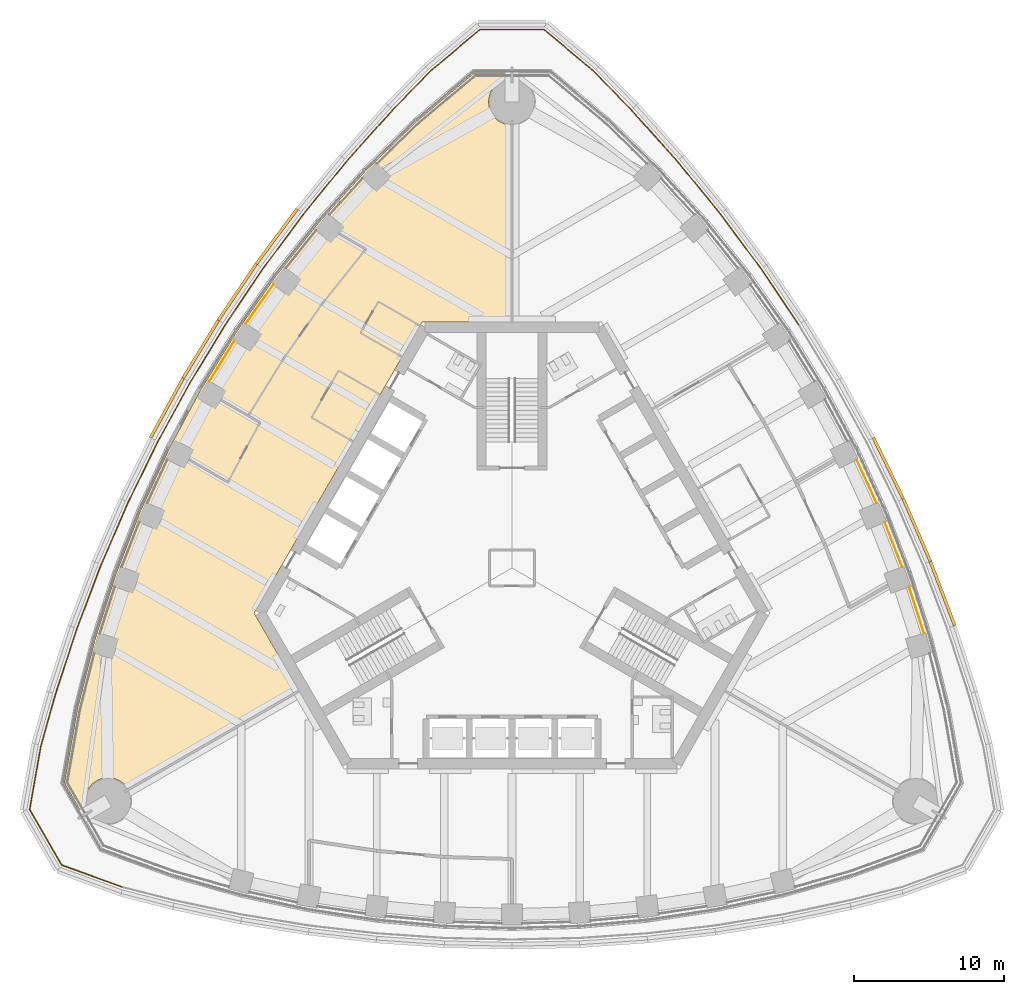
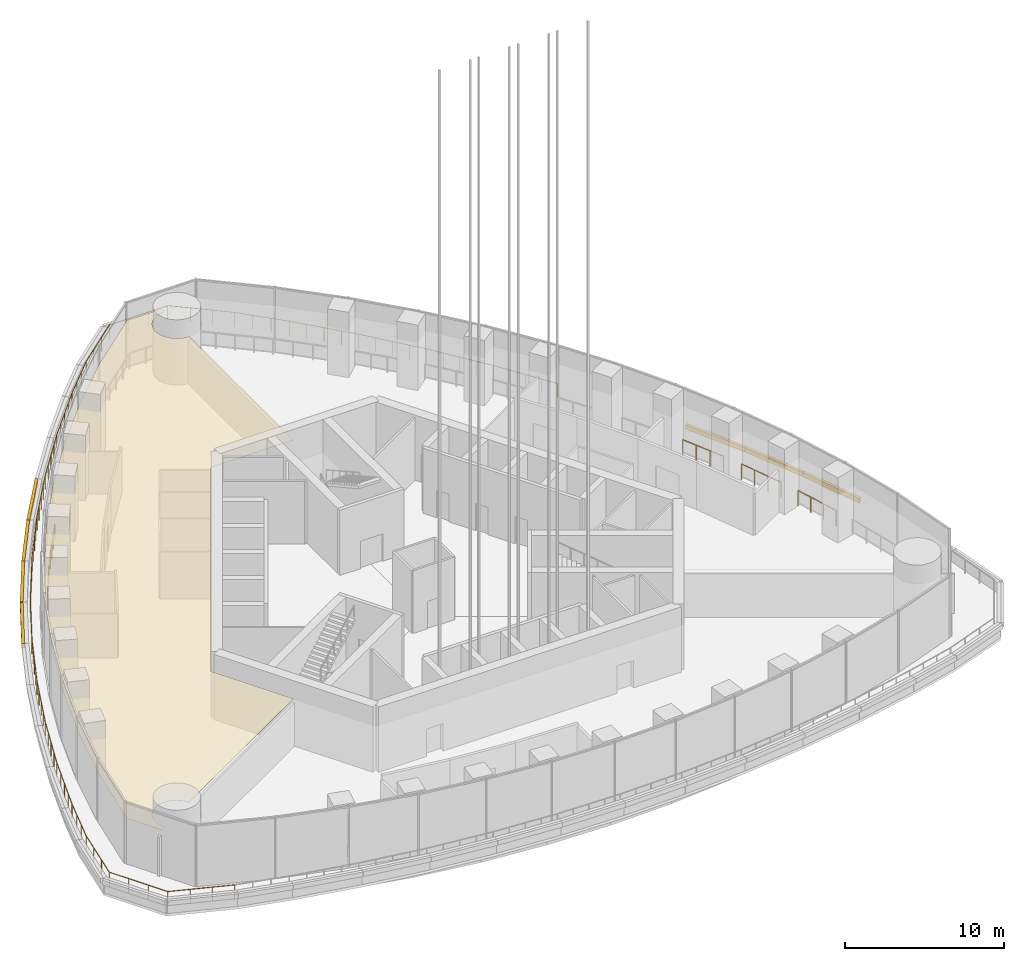
# One storey, part 15 of 26: 8 coverings, 6 railings.
"""IFC4 building model written with IfcOpenShell, lengths in metres."""

import ifcopenshell
import ifcopenshell.guid

model = None  # the IFC model being written
_history = None  # IfcOwnerHistory: only IFC2X3 demands one
_inside = {}  # id of a spatial element -> (the spatial element, [elements in it])
_under = {}  # id of a project, library or spatial element -> (it, [spatial elements below it])
_declared = {}  # id of a project -> (the project, [libraries it declares])
_typed = {}  # id of a type object -> (the type object, [elements of that type])
_made_of = {}  # id of a material, layer set ... -> (it, [elements and type objects made of it])


def new_model(schema):
    """Start an empty IFC model of exactly this schema.

    Asked for "IFC4X3", IfcOpenShell would pick the latest addendum, in which some entities
    have other attributes; the version numbers below select the first issue.
    IFC2X3 requires an IfcOwnerHistory on every rooted entity: one is made here for all.
    """
    global model, _history
    if schema == "IFC4X3":
        model = ifcopenshell.file(schema_version=(4, 3, 0, 0))
    else:
        model = ifcopenshell.file(schema=schema)
    _inside.clear()
    _under.clear()
    _declared.clear()
    _typed.clear()
    _made_of.clear()
    _history = None
    if model.schema == "IFC2X3":
        org = make("IfcOrganization", Name="unknown")
        user = make(
            "IfcPersonAndOrganization",
            ThePerson=make("IfcPerson", FamilyName="unknown"),
            TheOrganization=org,
        )
        app = make(
            "IfcApplication",
            ApplicationDeveloper=org,
            Version="unknown",
            ApplicationFullName="unknown",
            ApplicationIdentifier="unknown",
        )
        _history = make(
            "IfcOwnerHistory",
            OwningUser=user,
            OwningApplication=app,
            ChangeAction="ADDED",
            CreationDate=0,
        )
    return model


def make(cls, **values):
    """One entity of the class cls with the attributes given. An attribute that is None is left unset."""
    return model.create_entity(
        cls, **{name: value for name, value in values.items() if value is not None}
    )


def rooted(cls, **values):
    """An entity with a GlobalId (a new one), such as an element, a storey or a relation."""
    return make(cls, GlobalId=ifcopenshell.guid.new(), OwnerHistory=_history, **values)


def si_unit(unit_type, name, prefix=None):
    """IfcSIUnit, for example si_unit("LENGTHUNIT", "METRE", prefix="MILLI")."""
    return make("IfcSIUnit", UnitType=unit_type, Prefix=prefix, Name=name)


def assignment(units):
    """IfcUnitAssignment: the units of a project."""
    return None if units is None else make("IfcUnitAssignment", Units=units)


def point(xyz):
    """IfcCartesianPoint."""
    return None if xyz is None else make("IfcCartesianPoint", Coordinates=xyz)


def direction(xyz):
    """IfcDirection."""
    return None if xyz is None else make("IfcDirection", DirectionRatios=xyz)


def frame(location, z_axis=None, x_axis=None):
    """IfcAxis2Placement3D, a coordinate frame: its origin and axes. An axis left out is left unset."""
    return make(
        "IfcAxis2Placement3D",
        Location=point(location),
        Axis=direction(z_axis),
        RefDirection=direction(x_axis),
    )


def frame_2d(location, x_axis=None):
    """IfcAxis2Placement2D, a coordinate frame in the plane: its origin and x axis."""
    return make(
        "IfcAxis2Placement2D", Location=point(location), RefDirection=direction(x_axis)
    )


def origin():
    """The frame at (0, 0, 0) with its axes left unset."""
    return frame((0.0, 0.0, 0.0))


def origin_2d():
    """The frame at (0, 0) in the plane with its x axis left unset."""
    return frame_2d((0.0, 0.0))


def place(relative_to, where):
    """IfcLocalPlacement: puts the frame where relative to a parent placement (None: the world)."""
    return make(
        "IfcLocalPlacement", PlacementRelTo=relative_to, RelativePlacement=where
    )


def context(
    kind, dimensions, precision=None, world=None, true_north=None, identifier=None
):
    """IfcGeometricRepresentationContext, for example the 3D "Model" context."""
    return make(
        "IfcGeometricRepresentationContext",
        ContextIdentifier=identifier,
        ContextType=kind,
        CoordinateSpaceDimension=dimensions,
        Precision=precision,
        WorldCoordinateSystem=world,
        TrueNorth=true_north,
    )


def subcontext(parent, identifier, kind, view, scale=None):
    """IfcGeometricRepresentationSubContext, for example "Body" below "Model"."""
    return make(
        "IfcGeometricRepresentationSubContext",
        ContextIdentifier=identifier,
        ContextType=kind,
        ParentContext=parent,
        TargetScale=scale,
        TargetView=view,
    )


def project(units=None, contexts=None):
    """IfcProject with its units and contexts."""
    return rooted(
        "IfcProject",
        Name="project",
        RepresentationContexts=contexts,
        UnitsInContext=assignment(units),
    )


def spatial(cls, under=None, at=None, **own):
    """A site, building, storey or space (cls), placed at a placement, below another one or the project."""
    s = rooted(cls, ObjectPlacement=at, **own)
    if under is not None:
        _under.setdefault(under.id(), (under, []))[1].append(s)
    return s


def polyline(points):
    """IfcPolyline through the points."""
    return make("IfcPolyline", Points=[point(p) for p in points])


def profile(cls, at=None, kind="AREA", **sizes):
    """A parametric profile (cls). Its sizes go by their IFC names, for example OverallWidth=200.0."""
    return make(cls, ProfileType=kind, Position=at, **sizes)


def rectangle(**sizes):
    """IfcRectangleProfileDef."""
    return profile("IfcRectangleProfileDef", **sizes)


def circle(**sizes):
    """IfcCircleProfileDef."""
    return profile("IfcCircleProfileDef", **sizes)


def outline(outer, holes=None, kind="AREA"):
    """IfcArbitraryClosedProfileDef: a profile drawn as a closed curve; with holes, ...WithVoids."""
    if holes is None:
        return make("IfcArbitraryClosedProfileDef", ProfileType=kind, OuterCurve=outer)
    return make(
        "IfcArbitraryProfileDefWithVoids",
        ProfileType=kind,
        OuterCurve=outer,
        InnerCurves=holes,
    )


def extrude(swept, where, along, depth):
    """IfcExtrudedAreaSolid: the profile swept, set in the frame where, extruded along a direction by depth."""
    return make(
        "IfcExtrudedAreaSolid",
        SweptArea=swept,
        Position=where,
        ExtrudedDirection=direction(along),
        Depth=depth,
    )


def shape(context_of_items, identifier, shape_type, items):
    """IfcShapeRepresentation: the items that make up one representation, for example the "Body"."""
    return make(
        "IfcShapeRepresentation",
        ContextOfItems=context_of_items,
        RepresentationIdentifier=identifier,
        RepresentationType=shape_type,
        Items=items,
    )


def material(Name=None, Category=None):
    """IfcMaterial."""
    return make("IfcMaterial", Name=Name, Category=Category)


def layer(
    of_material, thickness, ventilated=None, Name=None, Category=None, Priority=None
):
    """IfcMaterialLayer: one layer of a wall or slab, of a material (None: an air gap)."""
    return make(
        "IfcMaterialLayer",
        Material=of_material,
        LayerThickness=thickness,
        IsVentilated=ventilated,
        Name=Name,
        Category=Category,
        Priority=Priority,
    )


def layer_set(layers, Name=None):
    """IfcMaterialLayerSet."""
    return make("IfcMaterialLayerSet", MaterialLayers=layers, LayerSetName=Name)


def made_of(thing, what):
    """Note that an element or type object is made of a material, layer set ...; save() writes the relation."""
    if what is not None:
        _made_of.setdefault(what.id(), (what, []))[1].append(thing)
    return thing


def type_object(cls, material=None, **own):
    """A type object (cls), such as IfcWallType, which elements share."""
    return made_of(rooted(cls, **own), material)


def element(
    cls,
    number,
    at=None,
    inside=None,
    cuts=None,
    type_object=None,
    material=None,
    context=None,
    identifier="Body",
    shape_type=None,
    held_by="IfcProductDefinitionShape",
    body=None,
    shapes=None,
    **own,
):
    """One element of the class cls, such as IfcWall. Its Tag is "e" and its number.

    at: its placement. inside: the storey or other place that contains it. cuts: it is an
    opening in that element (IfcRelVoidsElement). A single representation is given by context,
    identifier, shape_type and body (its items); several are given by shapes. held_by: the class
    of the entity that holds the representations. save() writes the other relations.
    """
    e = rooted(cls, Tag="e%d" % number, ObjectPlacement=at, **own)
    if body is not None:
        shapes = [shape(context, identifier, shape_type, body)]
    if shapes is not None:
        e.Representation = make(held_by, Representations=shapes)
    if inside is not None:
        _inside.setdefault(inside.id(), (inside, []))[1].append(e)
    if cuts is not None:
        rooted(
            "IfcRelVoidsElement", RelatingBuildingElement=cuts, RelatedOpeningElement=e
        )
    if type_object is not None:
        _typed.setdefault(type_object.id(), (type_object, []))[1].append(e)
    return made_of(e, material)


def aggregate(whole, parts):
    """IfcRelAggregates: a whole, such as a stair, and the parts it consists of."""
    return rooted("IfcRelAggregates", RelatingObject=whole, RelatedObjects=parts)


def save(model, path):
    """Write the relations noted so far, then the file.

    IfcRelAggregates (storeys below a building ...), IfcRelContainedInSpatialStructure (elements
    in a storey), IfcRelDefinesByType, IfcRelAssociatesMaterial and IfcRelDeclares: one each for
    every whole, place, type object, material and project.
    """
    for whole, parts in _under.values():
        aggregate(whole, parts)
    for where, things in _inside.values():
        rooted(
            "IfcRelContainedInSpatialStructure",
            RelatedElements=things,
            RelatingStructure=where,
        )
    for kind, things in _typed.values():
        rooted("IfcRelDefinesByType", RelatedObjects=things, RelatingType=kind)
    for what, things in _made_of.values():
        rooted("IfcRelAssociatesMaterial", RelatedObjects=things, RelatingMaterial=what)
    for by, libraries in _declared.values():
        rooted("IfcRelDeclares", RelatingContext=by, RelatedDefinitions=libraries)
    model.write(path)


model = new_model("IFC4")

# Units and contexts
model_context = context("Model", 3, precision=1e-05, world=origin(), true_north=direction((0.0, 1.0)))
body_context = subcontext(model_context, "Body", "Model", "MODEL_VIEW")
ifc_project = project(units=[si_unit("LENGTHUNIT", "METRE"), si_unit("AREAUNIT", "SQUARE_METRE"), si_unit("VOLUMEUNIT", "CUBIC_METRE"), si_unit("PLANEANGLEUNIT", "RADIAN"), si_unit("MASSUNIT", "GRAM", prefix="KILO")], contexts=[model_context])

# Site, building, storey
site_placement = place(None, origin())
site = spatial("IfcSite", under=ifc_project, at=site_placement, CompositionType="ELEMENT")
building_placement = place(site_placement, origin())
building = spatial("IfcBuilding", under=site, at=building_placement, Name="Trefoil Bronze Tower", CompositionType="ELEMENT")
storey_placement = place(building_placement, frame((0.0, 0.0, 271.300048828125)))
storey = spatial("IfcBuildingStorey", under=building, at=storey_placement, Name="L62", CompositionType="ELEMENT", Elevation=271.300048828125)

# Covering
ifc_material_1 = material(Name="Bronze metal ceiling panels", Category="metal")
ifc_layer = layer(ifc_material_1, 0.02001953125)
ifc_layer_set = layer_set([ifc_layer], Name="Feature ceiling 20")
covering_type_1 = type_object("IfcCoveringType", Name="Feature ceiling 20", PredefinedType="CEILING", material=ifc_layer_set)
covering_1_placement = place(storey_placement, frame((0.0, 0.0, 3.599853515625)))
element("IfcCovering", 1, at=covering_1_placement, inside=storey, type_object=covering_type_1, Name="Ceiling L62 Bar lounge F3", PredefinedType="CEILING", context=body_context, shape_type="SweptSolid", body=[
    extrude(outline(polyline([(-27.741455078125, -4.76806640625), (-26.336181640625, -0.38330078125), (-24.682861328125, 3.8583984375), (-22.7880859375, 7.960693359375), (-20.656005859375, 11.92578125), (-18.2880859375, 15.7548828125), (-15.682861328125, 19.44677734375), (-12.836181640625, 22.99951171875), (-9.741455078125, 26.408935546875), (-6.350830078125, 29.703125), (-2.508056640625, 32.927490234375), (-0.01220703125, 32.927490234375), (-0.01220703125, 32.5498046875), (-0.076171875, 32.548095703125), (-0.15185546875, 32.54248046875), (-0.227294921875, 32.533203125), (-0.302490234375, 32.520263671875), (-0.376708984375, 32.50341796875), (-0.449951171875, 32.4833984375), (-0.522216796875, 32.45947265625), (-0.59326171875, 32.431884765625), (-0.66259765625, 32.401123046875), (-0.730712890625, 32.366943359375), (-0.796875, 32.32958984375), (-0.861083984375, 32.288818359375), (-0.92333984375, 32.2451171875), (-0.9833984375, 32.1982421875), (-1.041015625, 32.1484375), (-1.095947265625, 32.095947265625), (-1.1484375, 32.041015625), (-1.1982421875, 31.9833984375), (-1.2451171875, 31.92333984375), (-1.288818359375, 31.861083984375), (-1.32958984375, 31.796875), (-1.366943359375, 31.730712890625), (-1.401123046875, 31.66259765625), (-1.431884765625, 31.59326171875), (-1.45947265625, 31.522216796875), (-1.4833984375, 31.449951171875), (-1.50341796875, 31.376708984375), (-1.520263671875, 31.302490234375), (-1.533203125, 31.227294921875), (-1.54248046875, 31.15185546875), (-1.548095703125, 31.076171875), (-1.550048828125, 31.0), (-1.548095703125, 30.923828125), (-1.54248046875, 30.84814453125), (-1.533203125, 30.772705078125), (-1.520263671875, 30.697509765625), (-1.50341796875, 30.623291015625), (-1.4833984375, 30.550048828125), (-1.45947265625, 30.477783203125), (-1.431884765625, 30.40673828125), (-1.401123046875, 30.33740234375), (-1.366943359375, 30.269287109375), (-1.32958984375, 30.203125), (-1.288818359375, 30.138916015625), (-1.2451171875, 30.07666015625), (-1.1982421875, 30.0166015625), (-1.1484375, 29.958984375), (-1.095947265625, 29.904052734375), (-1.041015625, 29.8515625), (-0.9833984375, 29.8017578125), (-0.92333984375, 29.7548828125), (-0.861083984375, 29.711181640625), (-0.796875, 29.67041015625), (-0.730712890625, 29.633056640625), (-0.66259765625, 29.598876953125), (-0.59326171875, 29.568115234375), (-0.522216796875, 29.54052734375), (-0.449951171875, 29.5166015625), (-0.376708984375, 29.49658203125), (-0.302490234375, 29.479736328125), (-0.227294921875, 29.466796875), (-0.15185546875, 29.45751953125), (-0.076171875, 29.451904296875), (-0.010986328125, 29.4501953125), (-0.006103515625, 16.35009765625), (-5.9755859375, 16.35009765625), (-17.147216796875, -3.0), (-14.16259765625, -8.169677734375), (-25.51025390625, -14.715576171875), (-25.55810546875, -14.638916015625), (-25.601806640625, -14.57666015625), (-25.648681640625, -14.5166015625), (-25.6982421875, -14.458984375), (-25.750732421875, -14.404052734375), (-25.805908203125, -14.3515625), (-25.863525390625, -14.3017578125), (-25.923583984375, -14.2548828125), (-25.985595703125, -14.211181640625), (-26.0498046875, -14.17041015625), (-26.1162109375, -14.133056640625), (-26.18408203125, -14.098876953125), (-26.253662109375, -14.068115234375), (-26.32470703125, -14.04052734375), (-26.396728515625, -14.0166015625), (-26.47021484375, -13.99658203125), (-26.54443359375, -13.979736328125), (-26.619384765625, -13.966796875), (-26.69482421875, -13.95751953125), (-26.770751953125, -13.951904296875), (-26.8466796875, -13.949951171875), (-26.9228515625, -13.951904296875), (-26.998779296875, -13.95751953125), (-27.07421875, -13.966796875), (-27.149169921875, -13.979736328125), (-27.223388671875, -13.99658203125), (-27.296630859375, -14.0166015625), (-27.368896484375, -14.04052734375), (-27.43994140625, -14.068115234375), (-27.509521484375, -14.098876953125), (-27.577392578125, -14.133056640625), (-27.6435546875, -14.17041015625), (-27.7080078125, -14.211181640625), (-27.77001953125, -14.2548828125), (-27.830078125, -14.3017578125), (-27.8876953125, -14.3515625), (-27.94287109375, -14.404052734375), (-27.995361328125, -14.458984375), (-28.044921875, -14.5166015625), (-28.091796875, -14.57666015625), (-28.135498046875, -14.638916015625), (-28.17626953125, -14.703125), (-28.2138671875, -14.769287109375), (-28.248046875, -14.83740234375), (-28.27880859375, -14.90673828125), (-28.30615234375, -14.977783203125), (-28.330078125, -15.050048828125), (-28.350341796875, -15.123291015625), (-28.366943359375, -15.197509765625), (-28.3798828125, -15.272705078125), (-28.389404296875, -15.34814453125), (-28.39501953125, -15.423828125), (-28.396728515625, -15.5), (-28.39501953125, -15.576171875), (-28.389404296875, -15.65185546875), (-28.3798828125, -15.727294921875), (-28.366943359375, -15.802490234375), (-28.350341796875, -15.876708984375), (-28.330078125, -15.949951171875), (-28.30615234375, -16.022216796875), (-28.27880859375, -16.09326171875), (-28.248046875, -16.16259765625), (-28.2138671875, -16.230712890625), (-28.19482421875, -16.26416015625), (-28.522216796875, -16.453125), (-29.770263671875, -14.291748046875), (-28.899169921875, -9.3515625), (-27.741455078125, -4.76806640625)])), origin(), (0.0, 0.0, 1.0), 0.02001953125),
])

# Railings
ifc_material_2 = material(Name="Bronze-finish steel guard rail and posts", Category="steel")
railing_type_1 = type_object("IfcRailingType", Name="Glazing guard 1200", PredefinedType="GUARDRAIL", material=ifc_material_2)
railing_1_placement = place(storey_placement, frame((27.40087890625, -4.345458984375, 0.0)))
element("IfcRailing", 2, at=railing_1_placement, inside=storey, type_object=railing_type_1, Name="Glazing guard L62.14", PredefinedType="GUARDRAIL", context=body_context, shape_type="SweptSolid", body=[
    extrude(circle(Radius=0.02392578125, at=origin_2d()), frame((0.0, 0.0, 1.17578125), z_axis=(-0.305188056524, 0.952292103378, 0.0), x_axis=(-0.952292103378, -0.305188056524, 0.0)), (0.0, 0.0, 1.0), 3.243896484375),
    extrude(circle(Radius=0.02099609375, at=origin_2d()), origin(), (0.0, 0.0, 1.0), 1.15185546875),
    extrude(circle(Radius=0.02099609375, at=origin_2d()), frame((-0.330078125, 1.02978515625, 0.0)), (0.0, 0.0, 1.0), 1.15185546875),
    extrude(circle(Radius=0.02099609375, at=origin_2d()), frame((-0.659912109375, 2.059326171875, 0.0)), (0.0, 0.0, 1.0), 1.15185546875),
    extrude(circle(Radius=0.02099609375, at=origin_2d()), frame((-0.989990234375, 3.089111328125, 0.0)), (0.0, 0.0, 1.0), 1.15185546875),
])
railing_2_placement = place(storey_placement, frame((25.94921875, 0.0654296875, 0.0)))
element("IfcRailing", 3, at=railing_2_placement, inside=storey, type_object=railing_type_1, Name="Glazing guard L62.15", PredefinedType="GUARDRAIL", context=body_context, shape_type="SweptSolid", body=[
    extrude(circle(Radius=0.02392578125, at=origin_2d()), frame((0.0, 0.0, 1.17578125), z_axis=(-0.363247617761, 0.931692636115, 0.0), x_axis=(-0.931692636115, -0.363247617761, 0.0)), (0.0, 0.0, 1.0), 3.189697265625),
    extrude(circle(Radius=0.02099609375, at=origin_2d()), origin(), (0.0, 0.0, 1.0), 1.15185546875),
    extrude(circle(Radius=0.02099609375, at=origin_2d()), frame((-0.38623046875, 0.99072265625, 0.0)), (0.0, 0.0, 1.0), 1.15185546875),
    extrude(circle(Radius=0.02099609375, at=origin_2d()), frame((-0.7724609375, 1.981201171875, 0.0)), (0.0, 0.0, 1.0), 1.15185546875),
    extrude(circle(Radius=0.02099609375, at=origin_2d()), frame((-1.15869140625, 2.971923828125, 0.0)), (0.0, 0.0, 1.0), 1.15185546875),
])
railing_3_placement = place(storey_placement, frame((24.246826171875, 4.327392578125, 0.0)))
element("IfcRailing", 4, at=railing_3_placement, inside=storey, type_object=railing_type_1, Name="Glazing guard L62.16", PredefinedType="GUARDRAIL", context=body_context, shape_type="SweptSolid", body=[
    extrude(circle(Radius=0.02392578125, at=origin_2d()), frame((0.0, 0.0, 1.17578125), z_axis=(-0.419328049042, 0.90783477973, 0.0), x_axis=(-0.90783477973, -0.419328049042, 0.0)), (0.0, 0.0, 1.0), 3.155029296875),
    extrude(circle(Radius=0.02099609375, at=origin_2d()), origin(), (0.0, 0.0, 1.0), 1.15185546875),
    extrude(circle(Radius=0.02099609375, at=origin_2d()), frame((-0.44091796875, 0.954833984375, 0.0)), (0.0, 0.0, 1.0), 1.15185546875),
    extrude(circle(Radius=0.02099609375, at=origin_2d()), frame((-0.882080078125, 1.909423828125, 0.0)), (0.0, 0.0, 1.0), 1.15185546875),
    extrude(circle(Radius=0.02099609375, at=origin_2d()), frame((-1.322998046875, 2.8642578125, 0.0)), (0.0, 0.0, 1.0), 1.15185546875),
])
railing_4_placement = place(storey_placement, frame((-15.87109375, 18.83447265625, 0.0)))
element("IfcRailing", 5, at=railing_4_placement, inside=storey, type_object=railing_type_1, Name="Glazing guard L62.26", PredefinedType="GUARDRAIL", context=body_context, shape_type="SweptSolid", body=[
    extrude(circle(Radius=0.02392578125, at=origin_2d()), frame((0.0, 0.0, 1.17578125), z_axis=(-0.576595086234, -0.817030052404, 0.0), x_axis=(0.817030052404, -0.576595086234, 0.0)), (0.0, 0.0, 1.0), 3.15478515625),
    extrude(circle(Radius=0.02099609375, at=origin_2d()), origin(), (0.0, 0.0, 1.0), 1.15185546875),
    extrude(circle(Radius=0.02099609375, at=origin_2d()), frame((-0.6064453125, -0.859130859375, 0.0)), (0.0, 0.0, 1.0), 1.15185546875),
    extrude(circle(Radius=0.02099609375, at=origin_2d()), frame((-1.212646484375, -1.718505859375, 0.0)), (0.0, 0.0, 1.0), 1.15185546875),
    extrude(circle(Radius=0.02099609375, at=origin_2d()), frame((-1.819091796875, -2.57763671875, 0.0)), (0.0, 0.0, 1.0), 1.15185546875),
])
railing_5_placement = place(storey_placement, frame((-18.464111328125, 15.090087890625, 0.0)))
element("IfcRailing", 6, at=railing_5_placement, inside=storey, type_object=railing_type_1, Name="Glazing guard L62.27", PredefinedType="GUARDRAIL", context=body_context, shape_type="SweptSolid", body=[
    extrude(circle(Radius=0.02392578125, at=origin_2d()), frame((0.0, 0.0, 1.17578125), z_axis=(-0.525971523936, -0.85050217872, 0.0), x_axis=(0.85050217872, -0.525971523936, 0.0)), (0.0, 0.0, 1.0), 3.1376953125),
    extrude(circle(Radius=0.02099609375, at=origin_2d()), origin(), (0.0, 0.0, 1.0), 1.15185546875),
    extrude(circle(Radius=0.02099609375, at=origin_2d()), frame((-0.550048828125, -0.8896484375, 0.0)), (0.0, 0.0, 1.0), 1.15185546875),
    extrude(circle(Radius=0.02099609375, at=origin_2d()), frame((-1.100341796875, -1.779052734375, 0.0)), (0.0, 0.0, 1.0), 1.15185546875),
    extrude(circle(Radius=0.02099609375, at=origin_2d()), frame((-1.650390625, -2.668701171875, 0.0)), (0.0, 0.0, 1.0), 1.15185546875),
])
ifc_material_3 = material(Name="Galvanised steel guard rail and posts", Category="steel")
railing_type_2 = type_object("IfcRailingType", Name="Roof edge guard 1100", PredefinedType="GUARDRAIL", material=ifc_material_3)
railing_6_placement = place(storey_placement, frame((19.0517578125, 16.19580078125, 0.300048828125)))
element("IfcRailing", 7, at=railing_6_placement, inside=storey, type_object=railing_type_2, Name="Roof edge guard L62.2 maintenance access only", PredefinedType="GUARDRAIL", context=body_context, shape_type="SweptSolid", body=[
    extrude(circle(Radius=0.02392578125, at=origin_2d()), frame((0.0, 0.0, 1.076171875), z_axis=(-0.558466624917, 0.829526991034, 0.0), x_axis=(-0.829526991034, -0.558466624917, 0.0)), (0.0, 0.0, 1.0), 4.5107421875),
    extrude(circle(Radius=0.02392578125, at=origin_2d()), frame((-2.51904296875, 3.74169921875, 1.076171875), z_axis=(-0.596173167565, 0.802855873912, 0.0), x_axis=(-0.802855873912, -0.596173167565, 0.0)), (0.0, 0.0, 1.0), 4.530029296875),
    extrude(circle(Radius=0.02392578125, at=origin_2d()), frame((-5.2197265625, 7.378662109375, 1.076171875), z_axis=(-0.632765292047, 0.774343647989, 0.0), x_axis=(-0.774343647989, -0.632765292047, 0.0)), (0.0, 0.0, 1.0), 4.559326171875),
    extrude(circle(Radius=0.02392578125, at=origin_2d()), frame((-8.104736328125, 10.9091796875, 1.076171875), z_axis=(-0.668245909458, 0.743940457626, 0.0), x_axis=(-0.743940457626, -0.668245909458, 0.0)), (0.0, 0.0, 1.0), 4.599365234375),
    extrude(circle(Radius=0.02392578125, at=origin_2d()), frame((-11.17822265625, 14.330810546875, 1.076171875), z_axis=(-0.698664506091, 0.715449444705, 0.0), x_axis=(-0.715449444705, -0.698664506091, 0.0)), (0.0, 0.0, 1.0), 3.5634765625),
    extrude(circle(Radius=0.02392578125, at=origin_2d()), frame((-13.66796875, 16.88037109375, 1.076171875), z_axis=(-0.766019180914, 0.642817714809, 0.0), x_axis=(-0.642817714809, -0.766019180914, 0.0)), (0.0, 0.0, 1.0), 4.252685546875),
    extrude(circle(Radius=0.02392578125, at=origin_2d()), frame((-16.925537109375, 19.614013671875, 1.076171875), z_axis=(-1.0, 0.0, 0.0), x_axis=(0.0, -1.0, 0.0)), (0.0, 0.0, 1.0), 4.25244140625),
    extrude(circle(Radius=0.02392578125, at=origin_2d()), frame((-21.177978515625, 19.614013671875, 1.076171875), z_axis=(-0.766019180914, -0.642817714809, 0.0), x_axis=(0.642817714809, -0.766019180914, 0.0)), (0.0, 0.0, 1.0), 4.252685546875),
    extrude(circle(Radius=0.02392578125, at=origin_2d()), frame((-24.435546875, 16.88037109375, 1.076171875), z_axis=(-0.698664506091, -0.715449444705, 0.0), x_axis=(0.715449444705, -0.698664506091, 0.0)), (0.0, 0.0, 1.0), 3.5634765625),
    extrude(circle(Radius=0.02392578125, at=origin_2d()), frame((-26.92529296875, 14.330810546875, 1.076171875), z_axis=(-0.668245909458, -0.743940457626, 0.0), x_axis=(0.743940457626, -0.668245909458, 0.0)), (0.0, 0.0, 1.0), 4.599365234375),
    extrude(circle(Radius=0.02392578125, at=origin_2d()), frame((-29.998779296875, 10.9091796875, 1.076171875), z_axis=(-0.632765292047, -0.774343647989, 0.0), x_axis=(0.774343647989, -0.632765292047, 0.0)), (0.0, 0.0, 1.0), 4.559326171875),
    extrude(circle(Radius=0.02392578125, at=origin_2d()), frame((-32.8837890625, 7.378662109375, 1.076171875), z_axis=(-0.596173167565, -0.802855873912, 0.0), x_axis=(0.802855873912, -0.596173167565, 0.0)), (0.0, 0.0, 1.0), 4.530029296875),
    extrude(circle(Radius=0.02392578125, at=origin_2d()), frame((-35.58447265625, 3.74169921875, 1.076171875), z_axis=(-0.558466624917, -0.829526991034, 0.0), x_axis=(0.829526991034, -0.558466624917, 0.0)), (0.0, 0.0, 1.0), 4.5107421875),
    extrude(circle(Radius=0.02392578125, at=origin_2d()), frame((-38.103515625, 0.0, 1.076171875), z_axis=(-0.519766265397, -0.854308509472, 0.0), x_axis=(0.854308509472, -0.519766265397, 0.0)), (0.0, 0.0, 1.0), 4.501220703125),
    extrude(circle(Radius=0.02392578125, at=origin_2d()), frame((-40.443115234375, -3.845458984375, 1.076171875), z_axis=(-0.479972822547, -0.877283357654, 0.0), x_axis=(0.877283357654, -0.479972822547, 0.0)), (0.0, 0.0, 1.0), 4.5009765625),
    extrude(circle(Radius=0.02392578125, at=origin_2d()), frame((-42.603515625, -7.794189453125, 1.076171875), z_axis=(-0.439142182222, -0.898417577629, 0.0), x_axis=(0.898417577629, -0.439142182222, 0.0)), (0.0, 0.0, 1.0), 4.510986328125),
    extrude(circle(Radius=0.02392578125, at=origin_2d()), frame((-44.58447265625, -11.846923828125, 1.076171875), z_axis=(-0.397208101111, -0.917728567939, 0.0), x_axis=(0.917728567939, -0.397208101111, 0.0)), (0.0, 0.0, 1.0), 4.530029296875),
    extrude(circle(Radius=0.02392578125, at=origin_2d()), frame((-46.3837890625, -16.004150390625, 1.076171875), z_axis=(-0.354219967303, -0.935162132875, 0.0), x_axis=(0.935162132875, -0.354219967303, 0.0)), (0.0, 0.0, 1.0), 4.559326171875),
    extrude(circle(Radius=0.02392578125, at=origin_2d()), frame((-47.998779296875, -20.267822265625, 1.076171875), z_axis=(-0.310154105003, -0.950686294815, 0.0), x_axis=(0.950686294815, -0.310154105003, 0.0)), (0.0, 0.0, 1.0), 4.599365234375),
    extrude(circle(Radius=0.02392578125, at=origin_2d()), frame((-49.42529296875, -24.640380859375, 1.076171875), z_axis=(-0.270257504211, -0.962788077106, 0.0), x_axis=(0.962788077106, -0.270257504211, 0.0)), (0.0, 0.0, 1.0), 3.563720703125),
    extrude(circle(Radius=0.02392578125, at=origin_2d()), frame((-50.388427734375, -28.071533203125, 1.076171875), z_axis=(-0.173673974922, -0.984803203912, 0.0), x_axis=(0.984803203912, -0.173673974922, 0.0)), (0.0, 0.0, 1.0), 4.25244140625),
    extrude(circle(Radius=0.02392578125, at=origin_2d()), frame((-51.126953125, -32.25927734375, 1.076171875), z_axis=(0.500010702031, -0.866019224876, 0.0), x_axis=(0.866019224876, 0.500010702031, 0.0)), (0.0, 0.0, 1.0), 4.25244140625),
    extrude(circle(Radius=0.02392578125, at=origin_2d()), frame((-49.000732421875, -35.94189453125, 1.076171875), z_axis=(0.939682745244, -0.342047274937, 0.0), x_axis=(0.342047274937, 0.939682745244, 0.0)), (0.0, 0.0, 1.0), 4.252685546875),
    extrude(circle(Radius=0.02099609375, at=origin_2d()), origin(), (0.0, 0.0, 1.0), 1.052001953125),
    extrude(circle(Radius=0.02099609375, at=origin_2d()), frame((-0.6298828125, 0.935546875, 0.0)), (0.0, 0.0, 1.0), 1.052001953125),
    extrude(circle(Radius=0.02099609375, at=origin_2d()), frame((-1.259521484375, 1.870849609375, 0.0)), (0.0, 0.0, 1.0), 1.052001953125),
    extrude(circle(Radius=0.02099609375, at=origin_2d()), frame((-1.88916015625, 2.80615234375, 0.0)), (0.0, 0.0, 1.0), 1.052001953125),
    extrude(circle(Radius=0.02099609375, at=origin_2d()), frame((-2.51904296875, 3.74169921875, 0.0)), (0.0, 0.0, 1.0), 1.052001953125),
    extrude(circle(Radius=0.02099609375, at=origin_2d()), frame((-3.1943359375, 4.65087890625, 0.0)), (0.0, 0.0, 1.0), 1.052001953125),
    extrude(circle(Radius=0.02099609375, at=origin_2d()), frame((-3.869384765625, 5.56005859375, 0.0)), (0.0, 0.0, 1.0), 1.052001953125),
    extrude(circle(Radius=0.02099609375, at=origin_2d()), frame((-4.54443359375, 6.469482421875, 0.0)), (0.0, 0.0, 1.0), 1.052001953125),
    extrude(circle(Radius=0.02099609375, at=origin_2d()), frame((-5.2197265625, 7.378662109375, 0.0)), (0.0, 0.0, 1.0), 1.052001953125),
    extrude(circle(Radius=0.02099609375, at=origin_2d()), frame((-5.94091796875, 8.26123046875, 0.0)), (0.0, 0.0, 1.0), 1.052001953125),
    extrude(circle(Radius=0.02099609375, at=origin_2d()), frame((-6.662109375, 9.14404296875, 0.0)), (0.0, 0.0, 1.0), 1.052001953125),
    extrude(circle(Radius=0.02099609375, at=origin_2d()), frame((-7.383544921875, 10.026611328125, 0.0)), (0.0, 0.0, 1.0), 1.052001953125),
    extrude(circle(Radius=0.02099609375, at=origin_2d()), frame((-8.104736328125, 10.9091796875, 0.0)), (0.0, 0.0, 1.0), 1.052001953125),
    extrude(circle(Radius=0.02099609375, at=origin_2d()), frame((-8.873046875, 11.7646484375, 0.0)), (0.0, 0.0, 1.0), 1.052001953125),
    extrude(circle(Radius=0.02099609375, at=origin_2d()), frame((-9.6416015625, 12.6201171875, 0.0)), (0.0, 0.0, 1.0), 1.052001953125),
    extrude(circle(Radius=0.02099609375, at=origin_2d()), frame((-10.409912109375, 13.475341796875, 0.0)), (0.0, 0.0, 1.0), 1.052001953125),
    extrude(circle(Radius=0.02099609375, at=origin_2d()), frame((-11.17822265625, 14.330810546875, 0.0)), (0.0, 0.0, 1.0), 1.052001953125),
    extrude(circle(Radius=0.02099609375, at=origin_2d()), frame((-12.008056640625, 15.1806640625, 0.0)), (0.0, 0.0, 1.0), 1.052001953125),
    extrude(circle(Radius=0.02099609375, at=origin_2d()), frame((-12.838134765625, 16.030517578125, 0.0)), (0.0, 0.0, 1.0), 1.052001953125),
    extrude(circle(Radius=0.02099609375, at=origin_2d()), frame((-13.66796875, 16.88037109375, 0.0)), (0.0, 0.0, 1.0), 1.052001953125),
    extrude(circle(Radius=0.02099609375, at=origin_2d()), frame((-14.75390625, 17.79150390625, 0.0)), (0.0, 0.0, 1.0), 1.052001953125),
    extrude(circle(Radius=0.02099609375, at=origin_2d()), frame((-15.839599609375, 18.702880859375, 0.0)), (0.0, 0.0, 1.0), 1.052001953125),
    extrude(circle(Radius=0.02099609375, at=origin_2d()), frame((-16.925537109375, 19.614013671875, 0.0)), (0.0, 0.0, 1.0), 1.052001953125),
    extrude(circle(Radius=0.02099609375, at=origin_2d()), frame((-18.343017578125, 19.614013671875, 0.0)), (0.0, 0.0, 1.0), 1.052001953125),
    extrude(circle(Radius=0.02099609375, at=origin_2d()), frame((-19.760498046875, 19.614013671875, 0.0)), (0.0, 0.0, 1.0), 1.052001953125),
    extrude(circle(Radius=0.02099609375, at=origin_2d()), frame((-21.177978515625, 19.614013671875, 0.0)), (0.0, 0.0, 1.0), 1.052001953125),
    extrude(circle(Radius=0.02099609375, at=origin_2d()), frame((-22.263916015625, 18.702880859375, 0.0)), (0.0, 0.0, 1.0), 1.052001953125),
    extrude(circle(Radius=0.02099609375, at=origin_2d()), frame((-23.349609375, 17.79150390625, 0.0)), (0.0, 0.0, 1.0), 1.052001953125),
    extrude(circle(Radius=0.02099609375, at=origin_2d()), frame((-24.435546875, 16.88037109375, 0.0)), (0.0, 0.0, 1.0), 1.052001953125),
    extrude(circle(Radius=0.02099609375, at=origin_2d()), frame((-25.265380859375, 16.030517578125, 0.0)), (0.0, 0.0, 1.0), 1.052001953125),
    extrude(circle(Radius=0.02099609375, at=origin_2d()), frame((-26.095458984375, 15.1806640625, 0.0)), (0.0, 0.0, 1.0), 1.052001953125),
    extrude(circle(Radius=0.02099609375, at=origin_2d()), frame((-26.92529296875, 14.330810546875, 0.0)), (0.0, 0.0, 1.0), 1.052001953125),
    extrude(circle(Radius=0.02099609375, at=origin_2d()), frame((-27.693603515625, 13.475341796875, 0.0)), (0.0, 0.0, 1.0), 1.052001953125),
    extrude(circle(Radius=0.02099609375, at=origin_2d()), frame((-28.4619140625, 12.6201171875, 0.0)), (0.0, 0.0, 1.0), 1.052001953125),
    extrude(circle(Radius=0.02099609375, at=origin_2d()), frame((-29.23046875, 11.7646484375, 0.0)), (0.0, 0.0, 1.0), 1.052001953125),
    extrude(circle(Radius=0.02099609375, at=origin_2d()), frame((-29.998779296875, 10.9091796875, 0.0)), (0.0, 0.0, 1.0), 1.052001953125),
    extrude(circle(Radius=0.02099609375, at=origin_2d()), frame((-30.719970703125, 10.026611328125, 0.0)), (0.0, 0.0, 1.0), 1.052001953125),
    extrude(circle(Radius=0.02099609375, at=origin_2d()), frame((-31.44140625, 9.14404296875, 0.0)), (0.0, 0.0, 1.0), 1.052001953125),
    extrude(circle(Radius=0.02099609375, at=origin_2d()), frame((-32.16259765625, 8.26123046875, 0.0)), (0.0, 0.0, 1.0), 1.052001953125),
    extrude(circle(Radius=0.02099609375, at=origin_2d()), frame((-32.8837890625, 7.378662109375, 0.0)), (0.0, 0.0, 1.0), 1.052001953125),
    extrude(circle(Radius=0.02099609375, at=origin_2d()), frame((-33.55908203125, 6.469482421875, 0.0)), (0.0, 0.0, 1.0), 1.052001953125),
    extrude(circle(Radius=0.02099609375, at=origin_2d()), frame((-34.234130859375, 5.56005859375, 0.0)), (0.0, 0.0, 1.0), 1.052001953125),
    extrude(circle(Radius=0.02099609375, at=origin_2d()), frame((-34.9091796875, 4.65087890625, 0.0)), (0.0, 0.0, 1.0), 1.052001953125),
    extrude(circle(Radius=0.02099609375, at=origin_2d()), frame((-35.58447265625, 3.74169921875, 0.0)), (0.0, 0.0, 1.0), 1.052001953125),
    extrude(circle(Radius=0.02099609375, at=origin_2d()), frame((-36.21435546875, 2.80615234375, 0.0)), (0.0, 0.0, 1.0), 1.052001953125),
    extrude(circle(Radius=0.02099609375, at=origin_2d()), frame((-36.843994140625, 1.870849609375, 0.0)), (0.0, 0.0, 1.0), 1.052001953125),
    extrude(circle(Radius=0.02099609375, at=origin_2d()), frame((-37.4736328125, 0.935546875, 0.0)), (0.0, 0.0, 1.0), 1.052001953125),
    extrude(circle(Radius=0.02099609375, at=origin_2d()), frame((-38.103515625, 0.0, 0.0)), (0.0, 0.0, 1.0), 1.052001953125),
    extrude(circle(Radius=0.02099609375, at=origin_2d()), frame((-38.6884765625, -0.96142578125, 0.0)), (0.0, 0.0, 1.0), 1.052001953125),
    extrude(circle(Radius=0.02099609375, at=origin_2d()), frame((-39.2734375, -1.9228515625, 0.0)), (0.0, 0.0, 1.0), 1.052001953125),
    extrude(circle(Radius=0.02099609375, at=origin_2d()), frame((-39.858154296875, -2.884033203125, 0.0)), (0.0, 0.0, 1.0), 1.052001953125),
    extrude(circle(Radius=0.02099609375, at=origin_2d()), frame((-40.443115234375, -3.845458984375, 0.0)), (0.0, 0.0, 1.0), 1.052001953125),
    extrude(circle(Radius=0.02099609375, at=origin_2d()), frame((-40.983154296875, -4.83251953125, 0.0)), (0.0, 0.0, 1.0), 1.052001953125),
    extrude(circle(Radius=0.02099609375, at=origin_2d()), frame((-41.5234375, -5.81982421875, 0.0)), (0.0, 0.0, 1.0), 1.052001953125),
    extrude(circle(Radius=0.02099609375, at=origin_2d()), frame((-42.0634765625, -6.80712890625, 0.0)), (0.0, 0.0, 1.0), 1.052001953125),
    extrude(circle(Radius=0.02099609375, at=origin_2d()), frame((-42.603515625, -7.794189453125, 0.0)), (0.0, 0.0, 1.0), 1.052001953125),
    extrude(circle(Radius=0.02099609375, at=origin_2d()), frame((-43.0986328125, -8.807373046875, 0.0)), (0.0, 0.0, 1.0), 1.052001953125),
    extrude(circle(Radius=0.02099609375, at=origin_2d()), frame((-43.593994140625, -9.820556640625, 0.0)), (0.0, 0.0, 1.0), 1.052001953125),
    extrude(circle(Radius=0.02099609375, at=origin_2d()), frame((-44.08935546875, -10.833740234375, 0.0)), (0.0, 0.0, 1.0), 1.052001953125),
    extrude(circle(Radius=0.02099609375, at=origin_2d()), frame((-44.58447265625, -11.846923828125, 0.0)), (0.0, 0.0, 1.0), 1.052001953125),
    extrude(circle(Radius=0.02099609375, at=origin_2d()), frame((-45.0341796875, -12.88623046875, 0.0)), (0.0, 0.0, 1.0), 1.052001953125),
    extrude(circle(Radius=0.02099609375, at=origin_2d()), frame((-45.484130859375, -13.925537109375, 0.0)), (0.0, 0.0, 1.0), 1.052001953125),
    extrude(circle(Radius=0.02099609375, at=origin_2d()), frame((-45.93408203125, -14.96484375, 0.0)), (0.0, 0.0, 1.0), 1.052001953125),
    extrude(circle(Radius=0.02099609375, at=origin_2d()), frame((-46.3837890625, -16.004150390625, 0.0)), (0.0, 0.0, 1.0), 1.052001953125),
    extrude(circle(Radius=0.02099609375, at=origin_2d()), frame((-46.78759765625, -17.070068359375, 0.0)), (0.0, 0.0, 1.0), 1.052001953125),
    extrude(circle(Radius=0.02099609375, at=origin_2d()), frame((-47.19140625, -18.135986328125, 0.0)), (0.0, 0.0, 1.0), 1.052001953125),
    extrude(circle(Radius=0.02099609375, at=origin_2d()), frame((-47.594970703125, -19.201904296875, 0.0)), (0.0, 0.0, 1.0), 1.052001953125),
    extrude(circle(Radius=0.02099609375, at=origin_2d()), frame((-47.998779296875, -20.267822265625, 0.0)), (0.0, 0.0, 1.0), 1.052001953125),
    extrude(circle(Radius=0.02099609375, at=origin_2d()), frame((-48.35546875, -21.36083984375, 0.0)), (0.0, 0.0, 1.0), 1.052001953125),
    extrude(circle(Radius=0.02099609375, at=origin_2d()), frame((-48.7119140625, -22.4541015625, 0.0)), (0.0, 0.0, 1.0), 1.052001953125),
    extrude(circle(Radius=0.02099609375, at=origin_2d()), frame((-49.068603515625, -23.54736328125, 0.0)), (0.0, 0.0, 1.0), 1.052001953125),
    extrude(circle(Radius=0.02099609375, at=origin_2d()), frame((-49.42529296875, -24.640380859375, 0.0)), (0.0, 0.0, 1.0), 1.052001953125),
    extrude(circle(Radius=0.02099609375, at=origin_2d()), frame((-49.746337890625, -25.7841796875, 0.0)), (0.0, 0.0, 1.0), 1.052001953125),
    extrude(circle(Radius=0.02099609375, at=origin_2d()), frame((-50.0673828125, -26.927734375, 0.0)), (0.0, 0.0, 1.0), 1.052001953125),
    extrude(circle(Radius=0.02099609375, at=origin_2d()), frame((-50.388427734375, -28.071533203125, 0.0)), (0.0, 0.0, 1.0), 1.052001953125),
    extrude(circle(Radius=0.02099609375, at=origin_2d()), frame((-50.634521484375, -29.467529296875, 0.0)), (0.0, 0.0, 1.0), 1.052001953125),
    extrude(circle(Radius=0.02099609375, at=origin_2d()), frame((-50.880859375, -30.86328125, 0.0)), (0.0, 0.0, 1.0), 1.052001953125),
    extrude(circle(Radius=0.02099609375, at=origin_2d()), frame((-51.126953125, -32.25927734375, 0.0)), (0.0, 0.0, 1.0), 1.052001953125),
    extrude(circle(Radius=0.02099609375, at=origin_2d()), frame((-50.418212890625, -33.48681640625, 0.0)), (0.0, 0.0, 1.0), 1.052001953125),
    extrude(circle(Radius=0.02099609375, at=origin_2d()), frame((-49.70947265625, -34.71435546875, 0.0)), (0.0, 0.0, 1.0), 1.052001953125),
    extrude(circle(Radius=0.02099609375, at=origin_2d()), frame((-49.000732421875, -35.94189453125, 0.0)), (0.0, 0.0, 1.0), 1.052001953125),
    extrude(circle(Radius=0.02099609375, at=origin_2d()), frame((-47.668701171875, -36.4267578125, 0.0)), (0.0, 0.0, 1.0), 1.052001953125),
    extrude(circle(Radius=0.02099609375, at=origin_2d()), frame((-46.336669921875, -36.91162109375, 0.0)), (0.0, 0.0, 1.0), 1.052001953125),
    extrude(circle(Radius=0.02099609375, at=origin_2d()), frame((-45.004638671875, -37.396484375, 0.0)), (0.0, 0.0, 1.0), 1.052001953125),
])

# Coverings
ifc_material_4 = material(Name="Stepped bronze-finish aluminium cornice", Category="aluminium")
covering_type_2 = type_object("IfcCoveringType", Name="Setback cornice 350x200", PredefinedType="MOLDING", material=ifc_material_4)
covering_2_placement = place(storey_placement, frame((28.63134765625, -1.697998046875, 0.75), z_axis=(0.0, 0.0, 1.0), x_axis=(-0.354233936632, 0.935156841465, 0.0)))
element("IfcCovering", 8, at=covering_2_placement, inside=storey, type_object=covering_type_2, Name="Setback cornice L62.17", PredefinedType="MOLDING", context=body_context, shape_type="SweptSolid", body=[
    extrude(rectangle(XDim=4.559326171875, YDim=0.199951171875, at=origin_2d()), origin(), (0.0, 0.0, 1.0), 0.35009765625),
])
covering_3_placement = place(storey_placement, frame((26.920166015625, 2.522216796875, 0.75), z_axis=(0.0, 0.0, 1.0), x_axis=(-0.39722030562, 0.917723285529, 0.0)))
element("IfcCovering", 9, at=covering_3_placement, inside=storey, type_object=covering_type_2, Name="Setback cornice L62.18", PredefinedType="MOLDING", context=body_context, shape_type="SweptSolid", body=[
    extrude(rectangle(XDim=4.530029296875, YDim=0.199951171875, at=origin_2d()), origin(), (0.0, 0.0, 1.0), 0.35009765625),
])
covering_4_placement = place(storey_placement, frame((25.02587890625, 6.636474609375, 0.75), z_axis=(0.0, 0.0, 1.0), x_axis=(-0.439129033491, 0.898424004546, 0.0)))
element("IfcCovering", 10, at=covering_4_placement, inside=storey, type_object=covering_type_2, Name="Setback cornice L62.19", PredefinedType="MOLDING", context=body_context, shape_type="SweptSolid", body=[
    extrude(rectangle(XDim=4.5107421875, YDim=0.199951171875, at=origin_2d()), origin(), (0.0, 0.0, 1.0), 0.35009765625),
])
covering_5_placement = place(storey_placement, frame((-15.64453125, 22.052490234375, 0.75), z_axis=(0.0, 0.0, 1.0), x_axis=(-0.596161526117, -0.80286451832, 0.0)))
element("IfcCovering", 11, at=covering_5_placement, inside=storey, type_object=covering_type_2, Name="Setback cornice L62.33", PredefinedType="MOLDING", context=body_context, shape_type="SweptSolid", body=[
    extrude(rectangle(XDim=4.530029296875, YDim=0.199951171875, at=origin_2d()), origin(), (0.0, 0.0, 1.0), 0.35009765625),
])
covering_6_placement = place(storey_placement, frame((-18.26025390625, 18.354736328125, 0.75), z_axis=(0.0, 0.0, 1.0), x_axis=(-0.558493494663, -0.829508900747, 0.0)))
element("IfcCovering", 12, at=covering_6_placement, inside=storey, type_object=covering_type_2, Name="Setback cornice L62.34", PredefinedType="MOLDING", context=body_context, shape_type="SweptSolid", body=[
    extrude(rectangle(XDim=4.5107421875, YDim=0.199951171875, at=origin_2d()), origin(), (0.0, 0.0, 1.0), 0.35009765625),
])
for number, where, z_axis, x_axis, name in (
    (13, (-20.6953125, 14.552490234375, 0.75), (0.0, 0.0, 1.0), (-0.519762112709, -0.854311035977, 0.0), "Setback cornice L62.35"),
    (14, (-22.950439453125, 10.646484375, 0.75), (0.0, 0.0, 1.0), (-0.479974003443, -0.87728271157, 0.0), "Setback cornice L62.36"),
):
    element("IfcCovering", number, at=place(storey_placement, frame(where, z_axis=z_axis, x_axis=x_axis)), inside=storey, type_object=covering_type_2, Name=name, PredefinedType="MOLDING", context=body_context, shape_type="SweptSolid", body=[
        extrude(rectangle(XDim=4.501220703125, YDim=0.199951171875, at=origin_2d()), origin(), (0.0, 0.0, 1.0), 0.35009765625),
    ])

save(model, "model.ifc")
